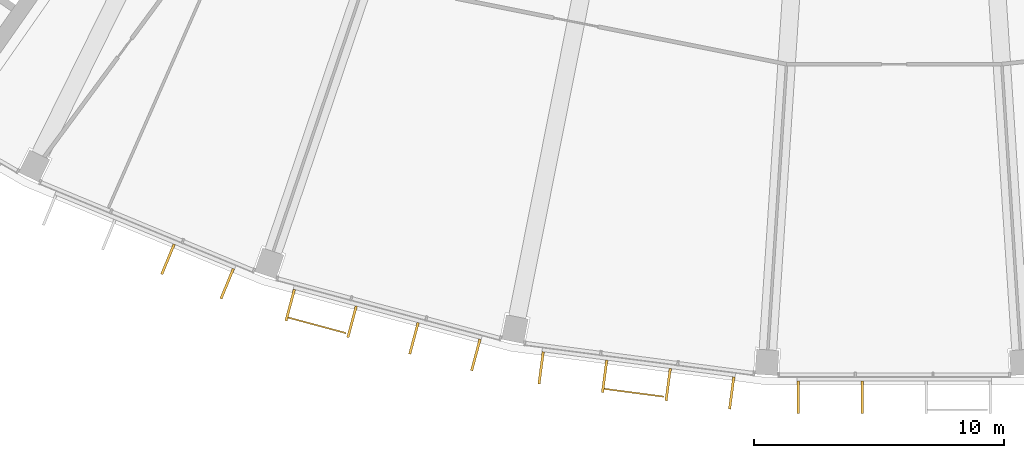
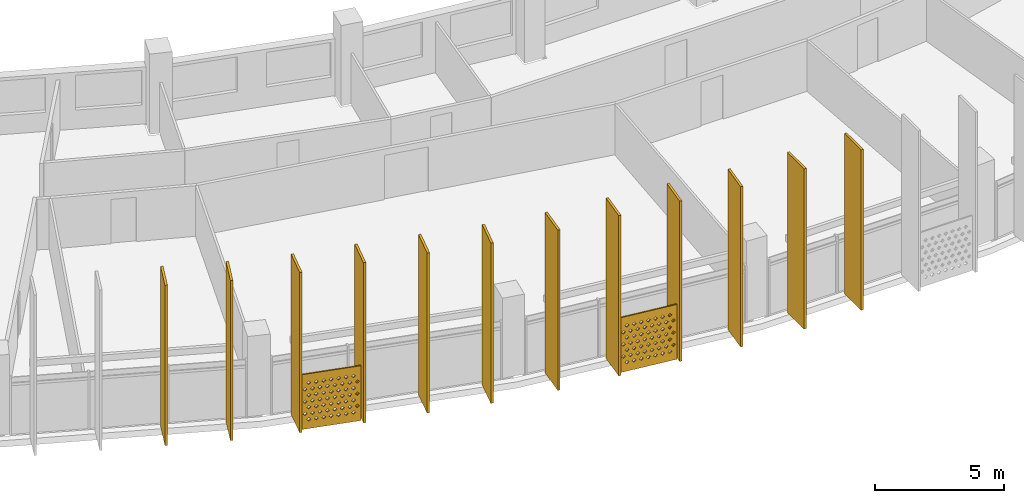
# One storey, part 23 of 29: 14 shading devices.
"""IFC4 building model written with IfcOpenShell, lengths in metres."""

from ifc_helpers import new_model, si_unit, direction, frame, origin, origin_2d, place, context, subcontext, project, spatial, polyline, rectangle, outline, extrude, material, material_profile, profile_set, type_object, element, save


model = new_model("IFC4")

# Units and contexts
model_context = context("Model", 3, precision=1e-05, world=origin(), true_north=direction((0.0, 1.0)))
body_context = subcontext(model_context, "Body", "Model", "MODEL_VIEW")
ifc_project = project(units=[si_unit("LENGTHUNIT", "METRE"), si_unit("AREAUNIT", "SQUARE_METRE"), si_unit("VOLUMEUNIT", "CUBIC_METRE"), si_unit("PLANEANGLEUNIT", "RADIAN"), si_unit("MASSUNIT", "GRAM", prefix="KILO")], contexts=[model_context])

# Site, building, storey
site_placement = place(None, origin())
site = spatial("IfcSite", under=ifc_project, at=site_placement, CompositionType="ELEMENT")
building_placement = place(site_placement, origin())
building = spatial("IfcBuilding", under=site, at=building_placement, Name="Qamariyya Broadcast Tower", CompositionType="ELEMENT")
storey_placement = place(building_placement, frame((0.0, 0.0, 258.10009765625)))
storey = spatial("IfcBuildingStorey", under=building, at=storey_placement, Name="L62", CompositionType="ELEMENT", Elevation=258.10009765625)

# Shading devices
ifc_material_1 = material(Name="Perforated glazed terracotta", Category="masonry")
ifc_material_profile_1 = material_profile(ifc_material_1, outline(polyline([(-1.199951171875, -1.300048828125), (1.199951171875, -1.300048828125), (1.199951171875, 1.300048828125), (-1.199951171875, 1.300048828125), (-1.199951171875, -1.300048828125)]), holes=[polyline([(-0.81494140625, -0.86669921875), (-0.89990234375, -0.78173828125), (-0.985107421875, -0.86669921875), (-0.89990234375, -0.95166015625), (-0.81494140625, -0.86669921875)]), polyline([(-0.514892578125, -0.86669921875), (-0.60009765625, -0.78173828125), (-0.68505859375, -0.86669921875), (-0.60009765625, -0.95166015625), (-0.514892578125, -0.86669921875)]), polyline([(-0.215087890625, -0.86669921875), (-0.300048828125, -0.78173828125), (-0.385009765625, -0.86669921875), (-0.300048828125, -0.95166015625), (-0.215087890625, -0.86669921875)]), polyline([(0.0849609375, -0.86669921875), (0.0, -0.78173828125), (-0.0849609375, -0.86669921875), (0.0, -0.95166015625), (0.0849609375, -0.86669921875)]), polyline([(0.385009765625, -0.86669921875), (0.300048828125, -0.78173828125), (0.215087890625, -0.86669921875), (0.300048828125, -0.95166015625), (0.385009765625, -0.86669921875)]), polyline([(0.68505859375, -0.86669921875), (0.60009765625, -0.78173828125), (0.514892578125, -0.86669921875), (0.60009765625, -0.95166015625), (0.68505859375, -0.86669921875)]), polyline([(0.985107421875, -0.86669921875), (0.89990234375, -0.78173828125), (0.81494140625, -0.86669921875), (0.89990234375, -0.95166015625), (0.985107421875, -0.86669921875)]), polyline([(-0.965087890625, -0.577880859375), (-1.050048828125, -0.49267578125), (-1.135009765625, -0.577880859375), (-1.050048828125, -0.662841796875), (-0.965087890625, -0.577880859375)]), polyline([(-0.6650390625, -0.577880859375), (-0.75, -0.49267578125), (-0.8349609375, -0.577880859375), (-0.75, -0.662841796875), (-0.6650390625, -0.577880859375)]), polyline([(-0.364990234375, -0.577880859375), (-0.449951171875, -0.49267578125), (-0.534912109375, -0.577880859375), (-0.449951171875, -0.662841796875), (-0.364990234375, -0.577880859375)]), polyline([(-0.06494140625, -0.577880859375), (-0.14990234375, -0.49267578125), (-0.235107421875, -0.577880859375), (-0.14990234375, -0.662841796875), (-0.06494140625, -0.577880859375)]), polyline([(0.235107421875, -0.577880859375), (0.14990234375, -0.49267578125), (0.06494140625, -0.577880859375), (0.14990234375, -0.662841796875), (0.235107421875, -0.577880859375)]), polyline([(0.534912109375, -0.577880859375), (0.449951171875, -0.49267578125), (0.364990234375, -0.577880859375), (0.449951171875, -0.662841796875), (0.534912109375, -0.577880859375)]), polyline([(0.8349609375, -0.577880859375), (0.75, -0.49267578125), (0.6650390625, -0.577880859375), (0.75, -0.662841796875), (0.8349609375, -0.577880859375)]), polyline([(1.135009765625, -0.577880859375), (1.050048828125, -0.49267578125), (0.965087890625, -0.577880859375), (1.050048828125, -0.662841796875), (1.135009765625, -0.577880859375)]), polyline([(-0.81494140625, -0.288818359375), (-0.89990234375, -0.203857421875), (-0.985107421875, -0.288818359375), (-0.89990234375, -0.373779296875), (-0.81494140625, -0.288818359375)]), polyline([(-0.514892578125, -0.288818359375), (-0.60009765625, -0.203857421875), (-0.68505859375, -0.288818359375), (-0.60009765625, -0.373779296875), (-0.514892578125, -0.288818359375)]), polyline([(-0.215087890625, -0.288818359375), (-0.300048828125, -0.203857421875), (-0.385009765625, -0.288818359375), (-0.300048828125, -0.373779296875), (-0.215087890625, -0.288818359375)]), polyline([(0.0849609375, -0.288818359375), (0.0, -0.203857421875), (-0.0849609375, -0.288818359375), (0.0, -0.373779296875), (0.0849609375, -0.288818359375)]), polyline([(0.385009765625, -0.288818359375), (0.300048828125, -0.203857421875), (0.215087890625, -0.288818359375), (0.300048828125, -0.373779296875), (0.385009765625, -0.288818359375)]), polyline([(0.68505859375, -0.288818359375), (0.60009765625, -0.203857421875), (0.514892578125, -0.288818359375), (0.60009765625, -0.373779296875), (0.68505859375, -0.288818359375)]), polyline([(0.985107421875, -0.288818359375), (0.89990234375, -0.203857421875), (0.81494140625, -0.288818359375), (0.89990234375, -0.373779296875), (0.985107421875, -0.288818359375)]), polyline([(-0.965087890625, 0.0), (-1.050048828125, 0.0849609375), (-1.135009765625, 0.0), (-1.050048828125, -0.0849609375), (-0.965087890625, 0.0)]), polyline([(-0.6650390625, 0.0), (-0.75, 0.0849609375), (-0.8349609375, 0.0), (-0.75, -0.0849609375), (-0.6650390625, 0.0)]), polyline([(-0.364990234375, 0.0), (-0.449951171875, 0.0849609375), (-0.534912109375, 0.0), (-0.449951171875, -0.0849609375), (-0.364990234375, 0.0)]), polyline([(-0.06494140625, 0.0), (-0.14990234375, 0.0849609375), (-0.235107421875, 0.0), (-0.14990234375, -0.0849609375), (-0.06494140625, 0.0)]), polyline([(0.235107421875, 0.0), (0.14990234375, 0.0849609375), (0.06494140625, 0.0), (0.14990234375, -0.0849609375), (0.235107421875, 0.0)]), polyline([(0.534912109375, 0.0), (0.449951171875, 0.0849609375), (0.364990234375, 0.0), (0.449951171875, -0.0849609375), (0.534912109375, 0.0)]), polyline([(0.8349609375, 0.0), (0.75, 0.0849609375), (0.6650390625, 0.0), (0.75, -0.0849609375), (0.8349609375, 0.0)]), polyline([(1.135009765625, 0.0), (1.050048828125, 0.0849609375), (0.965087890625, 0.0), (1.050048828125, -0.0849609375), (1.135009765625, 0.0)]), polyline([(-0.81494140625, 0.288818359375), (-0.89990234375, 0.373779296875), (-0.985107421875, 0.288818359375), (-0.89990234375, 0.203857421875), (-0.81494140625, 0.288818359375)]), polyline([(-0.514892578125, 0.288818359375), (-0.60009765625, 0.373779296875), (-0.68505859375, 0.288818359375), (-0.60009765625, 0.203857421875), (-0.514892578125, 0.288818359375)]), polyline([(-0.215087890625, 0.288818359375), (-0.300048828125, 0.373779296875), (-0.385009765625, 0.288818359375), (-0.300048828125, 0.203857421875), (-0.215087890625, 0.288818359375)]), polyline([(0.0849609375, 0.288818359375), (0.0, 0.373779296875), (-0.0849609375, 0.288818359375), (0.0, 0.203857421875), (0.0849609375, 0.288818359375)]), polyline([(0.385009765625, 0.288818359375), (0.300048828125, 0.373779296875), (0.215087890625, 0.288818359375), (0.300048828125, 0.203857421875), (0.385009765625, 0.288818359375)]), polyline([(0.68505859375, 0.288818359375), (0.60009765625, 0.373779296875), (0.514892578125, 0.288818359375), (0.60009765625, 0.203857421875), (0.68505859375, 0.288818359375)]), polyline([(0.985107421875, 0.288818359375), (0.89990234375, 0.373779296875), (0.81494140625, 0.288818359375), (0.89990234375, 0.203857421875), (0.985107421875, 0.288818359375)]), polyline([(-0.965087890625, 0.577880859375), (-1.050048828125, 0.662841796875), (-1.135009765625, 0.577880859375), (-1.050048828125, 0.49267578125), (-0.965087890625, 0.577880859375)]), polyline([(-0.6650390625, 0.577880859375), (-0.75, 0.662841796875), (-0.8349609375, 0.577880859375), (-0.75, 0.49267578125), (-0.6650390625, 0.577880859375)]), polyline([(-0.364990234375, 0.577880859375), (-0.449951171875, 0.662841796875), (-0.534912109375, 0.577880859375), (-0.449951171875, 0.49267578125), (-0.364990234375, 0.577880859375)]), polyline([(-0.06494140625, 0.577880859375), (-0.14990234375, 0.662841796875), (-0.235107421875, 0.577880859375), (-0.14990234375, 0.49267578125), (-0.06494140625, 0.577880859375)]), polyline([(0.235107421875, 0.577880859375), (0.14990234375, 0.662841796875), (0.06494140625, 0.577880859375), (0.14990234375, 0.49267578125), (0.235107421875, 0.577880859375)]), polyline([(0.534912109375, 0.577880859375), (0.449951171875, 0.662841796875), (0.364990234375, 0.577880859375), (0.449951171875, 0.49267578125), (0.534912109375, 0.577880859375)]), polyline([(0.8349609375, 0.577880859375), (0.75, 0.662841796875), (0.6650390625, 0.577880859375), (0.75, 0.49267578125), (0.8349609375, 0.577880859375)]), polyline([(1.135009765625, 0.577880859375), (1.050048828125, 0.662841796875), (0.965087890625, 0.577880859375), (1.050048828125, 0.49267578125), (1.135009765625, 0.577880859375)]), polyline([(-0.81494140625, 0.86669921875), (-0.89990234375, 0.95166015625), (-0.985107421875, 0.86669921875), (-0.89990234375, 0.78173828125), (-0.81494140625, 0.86669921875)]), polyline([(-0.514892578125, 0.86669921875), (-0.60009765625, 0.95166015625), (-0.68505859375, 0.86669921875), (-0.60009765625, 0.78173828125), (-0.514892578125, 0.86669921875)]), polyline([(-0.215087890625, 0.86669921875), (-0.300048828125, 0.95166015625), (-0.385009765625, 0.86669921875), (-0.300048828125, 0.78173828125), (-0.215087890625, 0.86669921875)]), polyline([(0.0849609375, 0.86669921875), (0.0, 0.95166015625), (-0.0849609375, 0.86669921875), (0.0, 0.78173828125), (0.0849609375, 0.86669921875)]), polyline([(0.385009765625, 0.86669921875), (0.300048828125, 0.95166015625), (0.215087890625, 0.86669921875), (0.300048828125, 0.78173828125), (0.385009765625, 0.86669921875)]), polyline([(0.68505859375, 0.86669921875), (0.60009765625, 0.95166015625), (0.514892578125, 0.86669921875), (0.60009765625, 0.78173828125), (0.68505859375, 0.86669921875)]), polyline([(0.985107421875, 0.86669921875), (0.89990234375, 0.95166015625), (0.81494140625, 0.86669921875), (0.89990234375, 0.78173828125), (0.985107421875, 0.86669921875)])]))
ifc_profile_set_1 = profile_set([ifc_material_profile_1], Name="Perforated glazed terracotta")
shading_device_type_1 = type_object("IfcShadingDeviceType", Name="Perforated terracotta screen 2400 x 2600", PredefinedType="USERDEFINED", material=ifc_profile_set_1)
shading_device_1_placement = place(storey_placement, frame((-23.068603515625, -76.07373046875, 1.349853515625), z_axis=(-0.259682438219, -0.965694067125, 0.0), x_axis=(0.965694067125, -0.259682438219, 0.0)))
element("IfcShadingDevice", 1, at=shading_device_1_placement, inside=storey, type_object=shading_device_type_1, Name="e-scr-L62-05-0", ObjectType="SCREEN", PredefinedType="USERDEFINED", context=body_context, shape_type="SweptSolid", body=[
    extrude(outline(polyline([(-1.199951171875, -1.300048828125), (1.199951171875, -1.300048828125), (1.199951171875, 1.300048828125), (-1.199951171875, 1.300048828125), (-1.199951171875, -1.300048828125)]), holes=[polyline([(-0.81494140625, -0.86669921875), (-0.89990234375, -0.78173828125), (-0.985107421875, -0.86669921875), (-0.89990234375, -0.95166015625), (-0.81494140625, -0.86669921875)]), polyline([(-0.514892578125, -0.86669921875), (-0.60009765625, -0.78173828125), (-0.68505859375, -0.86669921875), (-0.60009765625, -0.95166015625), (-0.514892578125, -0.86669921875)]), polyline([(-0.215087890625, -0.86669921875), (-0.300048828125, -0.78173828125), (-0.385009765625, -0.86669921875), (-0.300048828125, -0.95166015625), (-0.215087890625, -0.86669921875)]), polyline([(0.0849609375, -0.86669921875), (0.0, -0.78173828125), (-0.0849609375, -0.86669921875), (0.0, -0.95166015625), (0.0849609375, -0.86669921875)]), polyline([(0.385009765625, -0.86669921875), (0.300048828125, -0.78173828125), (0.215087890625, -0.86669921875), (0.300048828125, -0.95166015625), (0.385009765625, -0.86669921875)]), polyline([(0.68505859375, -0.86669921875), (0.60009765625, -0.78173828125), (0.514892578125, -0.86669921875), (0.60009765625, -0.95166015625), (0.68505859375, -0.86669921875)]), polyline([(0.985107421875, -0.86669921875), (0.89990234375, -0.78173828125), (0.81494140625, -0.86669921875), (0.89990234375, -0.95166015625), (0.985107421875, -0.86669921875)]), polyline([(-0.965087890625, -0.577880859375), (-1.050048828125, -0.49267578125), (-1.135009765625, -0.577880859375), (-1.050048828125, -0.662841796875), (-0.965087890625, -0.577880859375)]), polyline([(-0.6650390625, -0.577880859375), (-0.75, -0.49267578125), (-0.8349609375, -0.577880859375), (-0.75, -0.662841796875), (-0.6650390625, -0.577880859375)]), polyline([(-0.364990234375, -0.577880859375), (-0.449951171875, -0.49267578125), (-0.534912109375, -0.577880859375), (-0.449951171875, -0.662841796875), (-0.364990234375, -0.577880859375)]), polyline([(-0.06494140625, -0.577880859375), (-0.14990234375, -0.49267578125), (-0.235107421875, -0.577880859375), (-0.14990234375, -0.662841796875), (-0.06494140625, -0.577880859375)]), polyline([(0.235107421875, -0.577880859375), (0.14990234375, -0.49267578125), (0.06494140625, -0.577880859375), (0.14990234375, -0.662841796875), (0.235107421875, -0.577880859375)]), polyline([(0.534912109375, -0.577880859375), (0.449951171875, -0.49267578125), (0.364990234375, -0.577880859375), (0.449951171875, -0.662841796875), (0.534912109375, -0.577880859375)]), polyline([(0.8349609375, -0.577880859375), (0.75, -0.49267578125), (0.6650390625, -0.577880859375), (0.75, -0.662841796875), (0.8349609375, -0.577880859375)]), polyline([(1.135009765625, -0.577880859375), (1.050048828125, -0.49267578125), (0.965087890625, -0.577880859375), (1.050048828125, -0.662841796875), (1.135009765625, -0.577880859375)]), polyline([(-0.81494140625, -0.288818359375), (-0.89990234375, -0.203857421875), (-0.985107421875, -0.288818359375), (-0.89990234375, -0.373779296875), (-0.81494140625, -0.288818359375)]), polyline([(-0.514892578125, -0.288818359375), (-0.60009765625, -0.203857421875), (-0.68505859375, -0.288818359375), (-0.60009765625, -0.373779296875), (-0.514892578125, -0.288818359375)]), polyline([(-0.215087890625, -0.288818359375), (-0.300048828125, -0.203857421875), (-0.385009765625, -0.288818359375), (-0.300048828125, -0.373779296875), (-0.215087890625, -0.288818359375)]), polyline([(0.0849609375, -0.288818359375), (0.0, -0.203857421875), (-0.0849609375, -0.288818359375), (0.0, -0.373779296875), (0.0849609375, -0.288818359375)]), polyline([(0.385009765625, -0.288818359375), (0.300048828125, -0.203857421875), (0.215087890625, -0.288818359375), (0.300048828125, -0.373779296875), (0.385009765625, -0.288818359375)]), polyline([(0.68505859375, -0.288818359375), (0.60009765625, -0.203857421875), (0.514892578125, -0.288818359375), (0.60009765625, -0.373779296875), (0.68505859375, -0.288818359375)]), polyline([(0.985107421875, -0.288818359375), (0.89990234375, -0.203857421875), (0.81494140625, -0.288818359375), (0.89990234375, -0.373779296875), (0.985107421875, -0.288818359375)]), polyline([(-0.965087890625, 0.0), (-1.050048828125, 0.0849609375), (-1.135009765625, 0.0), (-1.050048828125, -0.0849609375), (-0.965087890625, 0.0)]), polyline([(-0.6650390625, 0.0), (-0.75, 0.0849609375), (-0.8349609375, 0.0), (-0.75, -0.0849609375), (-0.6650390625, 0.0)]), polyline([(-0.364990234375, 0.0), (-0.449951171875, 0.0849609375), (-0.534912109375, 0.0), (-0.449951171875, -0.0849609375), (-0.364990234375, 0.0)]), polyline([(-0.06494140625, 0.0), (-0.14990234375, 0.0849609375), (-0.235107421875, 0.0), (-0.14990234375, -0.0849609375), (-0.06494140625, 0.0)]), polyline([(0.235107421875, 0.0), (0.14990234375, 0.0849609375), (0.06494140625, 0.0), (0.14990234375, -0.0849609375), (0.235107421875, 0.0)]), polyline([(0.534912109375, 0.0), (0.449951171875, 0.0849609375), (0.364990234375, 0.0), (0.449951171875, -0.0849609375), (0.534912109375, 0.0)]), polyline([(0.8349609375, 0.0), (0.75, 0.0849609375), (0.6650390625, 0.0), (0.75, -0.0849609375), (0.8349609375, 0.0)]), polyline([(1.135009765625, 0.0), (1.050048828125, 0.0849609375), (0.965087890625, 0.0), (1.050048828125, -0.0849609375), (1.135009765625, 0.0)]), polyline([(-0.81494140625, 0.288818359375), (-0.89990234375, 0.373779296875), (-0.985107421875, 0.288818359375), (-0.89990234375, 0.203857421875), (-0.81494140625, 0.288818359375)]), polyline([(-0.514892578125, 0.288818359375), (-0.60009765625, 0.373779296875), (-0.68505859375, 0.288818359375), (-0.60009765625, 0.203857421875), (-0.514892578125, 0.288818359375)]), polyline([(-0.215087890625, 0.288818359375), (-0.300048828125, 0.373779296875), (-0.385009765625, 0.288818359375), (-0.300048828125, 0.203857421875), (-0.215087890625, 0.288818359375)]), polyline([(0.0849609375, 0.288818359375), (0.0, 0.373779296875), (-0.0849609375, 0.288818359375), (0.0, 0.203857421875), (0.0849609375, 0.288818359375)]), polyline([(0.385009765625, 0.288818359375), (0.300048828125, 0.373779296875), (0.215087890625, 0.288818359375), (0.300048828125, 0.203857421875), (0.385009765625, 0.288818359375)]), polyline([(0.68505859375, 0.288818359375), (0.60009765625, 0.373779296875), (0.514892578125, 0.288818359375), (0.60009765625, 0.203857421875), (0.68505859375, 0.288818359375)]), polyline([(0.985107421875, 0.288818359375), (0.89990234375, 0.373779296875), (0.81494140625, 0.288818359375), (0.89990234375, 0.203857421875), (0.985107421875, 0.288818359375)]), polyline([(-0.965087890625, 0.577880859375), (-1.050048828125, 0.662841796875), (-1.135009765625, 0.577880859375), (-1.050048828125, 0.49267578125), (-0.965087890625, 0.577880859375)]), polyline([(-0.6650390625, 0.577880859375), (-0.75, 0.662841796875), (-0.8349609375, 0.577880859375), (-0.75, 0.49267578125), (-0.6650390625, 0.577880859375)]), polyline([(-0.364990234375, 0.577880859375), (-0.449951171875, 0.662841796875), (-0.534912109375, 0.577880859375), (-0.449951171875, 0.49267578125), (-0.364990234375, 0.577880859375)]), polyline([(-0.06494140625, 0.577880859375), (-0.14990234375, 0.662841796875), (-0.235107421875, 0.577880859375), (-0.14990234375, 0.49267578125), (-0.06494140625, 0.577880859375)]), polyline([(0.235107421875, 0.577880859375), (0.14990234375, 0.662841796875), (0.06494140625, 0.577880859375), (0.14990234375, 0.49267578125), (0.235107421875, 0.577880859375)]), polyline([(0.534912109375, 0.577880859375), (0.449951171875, 0.662841796875), (0.364990234375, 0.577880859375), (0.449951171875, 0.49267578125), (0.534912109375, 0.577880859375)]), polyline([(0.8349609375, 0.577880859375), (0.75, 0.662841796875), (0.6650390625, 0.577880859375), (0.75, 0.49267578125), (0.8349609375, 0.577880859375)]), polyline([(1.135009765625, 0.577880859375), (1.050048828125, 0.662841796875), (0.965087890625, 0.577880859375), (1.050048828125, 0.49267578125), (1.135009765625, 0.577880859375)]), polyline([(-0.81494140625, 0.86669921875), (-0.89990234375, 0.95166015625), (-0.985107421875, 0.86669921875), (-0.89990234375, 0.78173828125), (-0.81494140625, 0.86669921875)]), polyline([(-0.514892578125, 0.86669921875), (-0.60009765625, 0.95166015625), (-0.68505859375, 0.86669921875), (-0.60009765625, 0.78173828125), (-0.514892578125, 0.86669921875)]), polyline([(-0.215087890625, 0.86669921875), (-0.300048828125, 0.95166015625), (-0.385009765625, 0.86669921875), (-0.300048828125, 0.78173828125), (-0.215087890625, 0.86669921875)]), polyline([(0.0849609375, 0.86669921875), (0.0, 0.95166015625), (-0.0849609375, 0.86669921875), (0.0, 0.78173828125), (0.0849609375, 0.86669921875)]), polyline([(0.385009765625, 0.86669921875), (0.300048828125, 0.95166015625), (0.215087890625, 0.86669921875), (0.300048828125, 0.78173828125), (0.385009765625, 0.86669921875)]), polyline([(0.68505859375, 0.86669921875), (0.60009765625, 0.95166015625), (0.514892578125, 0.86669921875), (0.60009765625, 0.78173828125), (0.68505859375, 0.86669921875)]), polyline([(0.985107421875, 0.86669921875), (0.89990234375, 0.95166015625), (0.81494140625, 0.86669921875), (0.89990234375, 0.78173828125), (0.985107421875, 0.86669921875)])]), origin(), (0.0, 0.0, 1.0), 0.06005859375),
])
shading_device_2_placement = place(storey_placement, frame((-10.4013671875, -78.7685546875, 1.349853515625), z_axis=(-0.13056005306, -0.991440402921, 0.0), x_axis=(0.991440402921, -0.13056005306, 0.0)))
element("IfcShadingDevice", 2, at=shading_device_2_placement, inside=storey, type_object=shading_device_type_1, Name="e-scr-L62-06-1", ObjectType="SCREEN", PredefinedType="USERDEFINED", context=body_context, shape_type="SweptSolid", body=[
    extrude(outline(polyline([(-1.199951171875, -1.300048828125), (1.199951171875, -1.300048828125), (1.199951171875, 1.300048828125), (-1.199951171875, 1.300048828125), (-1.199951171875, -1.300048828125)]), holes=[polyline([(-0.81494140625, -0.86669921875), (-0.89990234375, -0.78173828125), (-0.985107421875, -0.86669921875), (-0.89990234375, -0.95166015625), (-0.81494140625, -0.86669921875)]), polyline([(-0.514892578125, -0.86669921875), (-0.60009765625, -0.78173828125), (-0.68505859375, -0.86669921875), (-0.60009765625, -0.95166015625), (-0.514892578125, -0.86669921875)]), polyline([(-0.215087890625, -0.86669921875), (-0.300048828125, -0.78173828125), (-0.385009765625, -0.86669921875), (-0.300048828125, -0.95166015625), (-0.215087890625, -0.86669921875)]), polyline([(0.0849609375, -0.86669921875), (0.0, -0.78173828125), (-0.0849609375, -0.86669921875), (0.0, -0.95166015625), (0.0849609375, -0.86669921875)]), polyline([(0.385009765625, -0.86669921875), (0.300048828125, -0.78173828125), (0.215087890625, -0.86669921875), (0.300048828125, -0.95166015625), (0.385009765625, -0.86669921875)]), polyline([(0.68505859375, -0.86669921875), (0.60009765625, -0.78173828125), (0.514892578125, -0.86669921875), (0.60009765625, -0.95166015625), (0.68505859375, -0.86669921875)]), polyline([(0.985107421875, -0.86669921875), (0.89990234375, -0.78173828125), (0.81494140625, -0.86669921875), (0.89990234375, -0.95166015625), (0.985107421875, -0.86669921875)]), polyline([(-0.965087890625, -0.577880859375), (-1.050048828125, -0.49267578125), (-1.135009765625, -0.577880859375), (-1.050048828125, -0.662841796875), (-0.965087890625, -0.577880859375)]), polyline([(-0.6650390625, -0.577880859375), (-0.75, -0.49267578125), (-0.8349609375, -0.577880859375), (-0.75, -0.662841796875), (-0.6650390625, -0.577880859375)]), polyline([(-0.364990234375, -0.577880859375), (-0.449951171875, -0.49267578125), (-0.534912109375, -0.577880859375), (-0.449951171875, -0.662841796875), (-0.364990234375, -0.577880859375)]), polyline([(-0.06494140625, -0.577880859375), (-0.14990234375, -0.49267578125), (-0.235107421875, -0.577880859375), (-0.14990234375, -0.662841796875), (-0.06494140625, -0.577880859375)]), polyline([(0.235107421875, -0.577880859375), (0.14990234375, -0.49267578125), (0.06494140625, -0.577880859375), (0.14990234375, -0.662841796875), (0.235107421875, -0.577880859375)]), polyline([(0.534912109375, -0.577880859375), (0.449951171875, -0.49267578125), (0.364990234375, -0.577880859375), (0.449951171875, -0.662841796875), (0.534912109375, -0.577880859375)]), polyline([(0.8349609375, -0.577880859375), (0.75, -0.49267578125), (0.6650390625, -0.577880859375), (0.75, -0.662841796875), (0.8349609375, -0.577880859375)]), polyline([(1.135009765625, -0.577880859375), (1.050048828125, -0.49267578125), (0.965087890625, -0.577880859375), (1.050048828125, -0.662841796875), (1.135009765625, -0.577880859375)]), polyline([(-0.81494140625, -0.288818359375), (-0.89990234375, -0.203857421875), (-0.985107421875, -0.288818359375), (-0.89990234375, -0.373779296875), (-0.81494140625, -0.288818359375)]), polyline([(-0.514892578125, -0.288818359375), (-0.60009765625, -0.203857421875), (-0.68505859375, -0.288818359375), (-0.60009765625, -0.373779296875), (-0.514892578125, -0.288818359375)]), polyline([(-0.215087890625, -0.288818359375), (-0.300048828125, -0.203857421875), (-0.385009765625, -0.288818359375), (-0.300048828125, -0.373779296875), (-0.215087890625, -0.288818359375)]), polyline([(0.0849609375, -0.288818359375), (0.0, -0.203857421875), (-0.0849609375, -0.288818359375), (0.0, -0.373779296875), (0.0849609375, -0.288818359375)]), polyline([(0.385009765625, -0.288818359375), (0.300048828125, -0.203857421875), (0.215087890625, -0.288818359375), (0.300048828125, -0.373779296875), (0.385009765625, -0.288818359375)]), polyline([(0.68505859375, -0.288818359375), (0.60009765625, -0.203857421875), (0.514892578125, -0.288818359375), (0.60009765625, -0.373779296875), (0.68505859375, -0.288818359375)]), polyline([(0.985107421875, -0.288818359375), (0.89990234375, -0.203857421875), (0.81494140625, -0.288818359375), (0.89990234375, -0.373779296875), (0.985107421875, -0.288818359375)]), polyline([(-0.965087890625, 0.0), (-1.050048828125, 0.0849609375), (-1.135009765625, 0.0), (-1.050048828125, -0.0849609375), (-0.965087890625, 0.0)]), polyline([(-0.6650390625, 0.0), (-0.75, 0.0849609375), (-0.8349609375, 0.0), (-0.75, -0.0849609375), (-0.6650390625, 0.0)]), polyline([(-0.364990234375, 0.0), (-0.449951171875, 0.0849609375), (-0.534912109375, 0.0), (-0.449951171875, -0.0849609375), (-0.364990234375, 0.0)]), polyline([(-0.06494140625, 0.0), (-0.14990234375, 0.0849609375), (-0.235107421875, 0.0), (-0.14990234375, -0.0849609375), (-0.06494140625, 0.0)]), polyline([(0.235107421875, 0.0), (0.14990234375, 0.0849609375), (0.06494140625, 0.0), (0.14990234375, -0.0849609375), (0.235107421875, 0.0)]), polyline([(0.534912109375, 0.0), (0.449951171875, 0.0849609375), (0.364990234375, 0.0), (0.449951171875, -0.0849609375), (0.534912109375, 0.0)]), polyline([(0.8349609375, 0.0), (0.75, 0.0849609375), (0.6650390625, 0.0), (0.75, -0.0849609375), (0.8349609375, 0.0)]), polyline([(1.135009765625, 0.0), (1.050048828125, 0.0849609375), (0.965087890625, 0.0), (1.050048828125, -0.0849609375), (1.135009765625, 0.0)]), polyline([(-0.81494140625, 0.288818359375), (-0.89990234375, 0.373779296875), (-0.985107421875, 0.288818359375), (-0.89990234375, 0.203857421875), (-0.81494140625, 0.288818359375)]), polyline([(-0.514892578125, 0.288818359375), (-0.60009765625, 0.373779296875), (-0.68505859375, 0.288818359375), (-0.60009765625, 0.203857421875), (-0.514892578125, 0.288818359375)]), polyline([(-0.215087890625, 0.288818359375), (-0.300048828125, 0.373779296875), (-0.385009765625, 0.288818359375), (-0.300048828125, 0.203857421875), (-0.215087890625, 0.288818359375)]), polyline([(0.0849609375, 0.288818359375), (0.0, 0.373779296875), (-0.0849609375, 0.288818359375), (0.0, 0.203857421875), (0.0849609375, 0.288818359375)]), polyline([(0.385009765625, 0.288818359375), (0.300048828125, 0.373779296875), (0.215087890625, 0.288818359375), (0.300048828125, 0.203857421875), (0.385009765625, 0.288818359375)]), polyline([(0.68505859375, 0.288818359375), (0.60009765625, 0.373779296875), (0.514892578125, 0.288818359375), (0.60009765625, 0.203857421875), (0.68505859375, 0.288818359375)]), polyline([(0.985107421875, 0.288818359375), (0.89990234375, 0.373779296875), (0.81494140625, 0.288818359375), (0.89990234375, 0.203857421875), (0.985107421875, 0.288818359375)]), polyline([(-0.965087890625, 0.577880859375), (-1.050048828125, 0.662841796875), (-1.135009765625, 0.577880859375), (-1.050048828125, 0.49267578125), (-0.965087890625, 0.577880859375)]), polyline([(-0.6650390625, 0.577880859375), (-0.75, 0.662841796875), (-0.8349609375, 0.577880859375), (-0.75, 0.49267578125), (-0.6650390625, 0.577880859375)]), polyline([(-0.364990234375, 0.577880859375), (-0.449951171875, 0.662841796875), (-0.534912109375, 0.577880859375), (-0.449951171875, 0.49267578125), (-0.364990234375, 0.577880859375)]), polyline([(-0.06494140625, 0.577880859375), (-0.14990234375, 0.662841796875), (-0.235107421875, 0.577880859375), (-0.14990234375, 0.49267578125), (-0.06494140625, 0.577880859375)]), polyline([(0.235107421875, 0.577880859375), (0.14990234375, 0.662841796875), (0.06494140625, 0.577880859375), (0.14990234375, 0.49267578125), (0.235107421875, 0.577880859375)]), polyline([(0.534912109375, 0.577880859375), (0.449951171875, 0.662841796875), (0.364990234375, 0.577880859375), (0.449951171875, 0.49267578125), (0.534912109375, 0.577880859375)]), polyline([(0.8349609375, 0.577880859375), (0.75, 0.662841796875), (0.6650390625, 0.577880859375), (0.75, 0.49267578125), (0.8349609375, 0.577880859375)]), polyline([(1.135009765625, 0.577880859375), (1.050048828125, 0.662841796875), (0.965087890625, 0.577880859375), (1.050048828125, 0.49267578125), (1.135009765625, 0.577880859375)]), polyline([(-0.81494140625, 0.86669921875), (-0.89990234375, 0.95166015625), (-0.985107421875, 0.86669921875), (-0.89990234375, 0.78173828125), (-0.81494140625, 0.86669921875)]), polyline([(-0.514892578125, 0.86669921875), (-0.60009765625, 0.95166015625), (-0.68505859375, 0.86669921875), (-0.60009765625, 0.78173828125), (-0.514892578125, 0.86669921875)]), polyline([(-0.215087890625, 0.86669921875), (-0.300048828125, 0.95166015625), (-0.385009765625, 0.86669921875), (-0.300048828125, 0.78173828125), (-0.215087890625, 0.86669921875)]), polyline([(0.0849609375, 0.86669921875), (0.0, 0.95166015625), (-0.0849609375, 0.86669921875), (0.0, 0.78173828125), (0.0849609375, 0.86669921875)]), polyline([(0.385009765625, 0.86669921875), (0.300048828125, 0.95166015625), (0.215087890625, 0.86669921875), (0.300048828125, 0.78173828125), (0.385009765625, 0.86669921875)]), polyline([(0.68505859375, 0.86669921875), (0.60009765625, 0.95166015625), (0.514892578125, 0.86669921875), (0.60009765625, 0.78173828125), (0.68505859375, 0.86669921875)]), polyline([(0.985107421875, 0.86669921875), (0.89990234375, 0.95166015625), (0.81494140625, 0.86669921875), (0.89990234375, 0.78173828125), (0.985107421875, 0.86669921875)])]), origin(), (0.0, 0.0, 1.0), 0.059814453125),
])
ifc_material_2 = material(Name="Glazed terracotta", Category="masonry")
ifc_material_profile_2 = material_profile(ifc_material_2, rectangle(XDim=1.300048828125, YDim=0.10009765625, at=origin_2d()))
ifc_profile_set_2 = profile_set([ifc_material_profile_2], Name="Glazed terracotta")
shading_device_type_2 = type_object("IfcShadingDeviceType", Name="Terracotta fin 100 x 1300", PredefinedType="USERDEFINED", material=ifc_profile_set_2)
for number, where, z_axis, x_axis, name in (
    (3, (-29.041748046875, -73.46044921875, 0.0), (0.0, 0.0, 1.0), (-0.382683432365, -0.923879532511, 0.0), "e-fin-L62-04-2"),
    (4, (-26.674560546875, -74.44091796875, 0.0), (0.0, 0.0, 1.0), (-0.382683432365, -0.923879532511, 0.0), "e-fin-L62-04-3"),
    (5, (-24.154296875, -75.29638671875, 0.0), (0.0, 0.0, 1.0), (-0.258819045103, -0.965925826289, 0.0), "e-fin-L62-05-0"),
    (6, (-21.679443359375, -75.95947265625, 0.0), (0.0, 0.0, 1.0), (-0.258819045103, -0.965925826289, 0.0), "e-fin-L62-05-1"),
    (7, (-19.20458984375, -76.62255859375, 0.0), (0.0, 0.0, 1.0), (-0.258819045103, -0.965925826289, 0.0), "e-fin-L62-05-2"),
    (8, (-16.729736328125, -77.28564453125, 0.0), (0.0, 0.0, 1.0), (-0.258819045103, -0.965925826289, 0.0), "e-fin-L62-05-3"),
    (9, (-14.11962890625, -77.804931640625, 0.0), (0.0, 0.0, 1.0), (-0.13052619222, -0.991444861374, 0.0), "e-fin-L62-06-0"),
    (10, (-11.579345703125, -78.139404296875, 0.0), (0.0, 0.0, 1.0), (-0.13052619222, -0.991444861374, 0.0), "e-fin-L62-06-1"),
    (11, (-9.0390625, -78.473876953125, 0.0), (0.0, 0.0, 1.0), (-0.13052619222, -0.991444861374, 0.0), "e-fin-L62-06-2"),
    (12, (-6.498779296875, -78.80810546875, 0.0), (0.0, 0.0, 1.0), (-0.13052619222, -0.991444861374, 0.0), "e-fin-L62-06-3"),
    (13, (-3.84326171875, -78.982177734375, 0.0), (0.0, 0.0, 1.0), (0.0, -1.0, 0.0), "e-fin-L62-07-0"),
    (14, (-1.281005859375, -78.982177734375, 0.0), (0.0, 0.0, 1.0), (0.0, -1.0, 0.0), "e-fin-L62-07-1"),
):
    element("IfcShadingDevice", number, at=place(storey_placement, frame(where, z_axis=z_axis, x_axis=x_axis)), inside=storey, type_object=shading_device_type_2, Name=name, ObjectType="FIN", PredefinedType="USERDEFINED", context=body_context, shape_type="SweptSolid", body=[
        extrude(rectangle(XDim=1.300048828125, YDim=0.10009765625, at=origin_2d()), origin(), (0.0, 0.0, 1.0), 7.599853515625),
    ])

save(model, "model.ifc")
